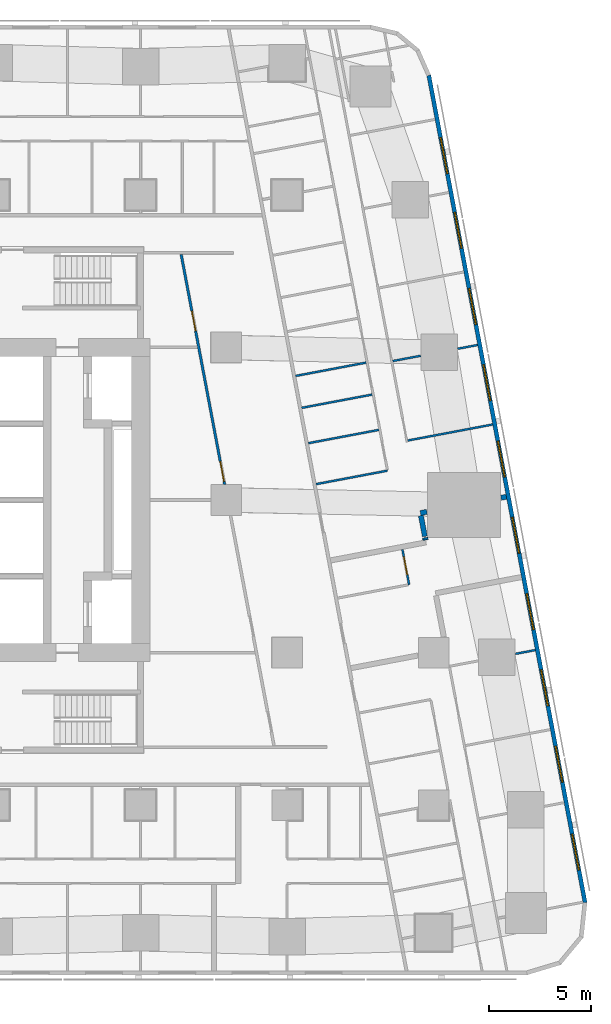
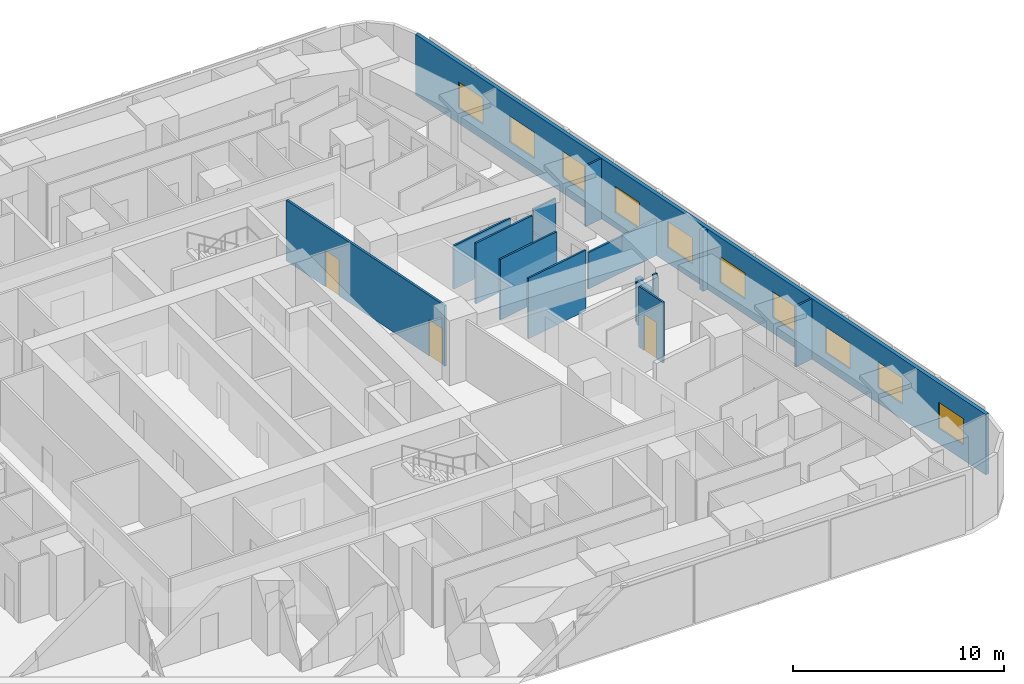
# One storey, part 8 of 15: 15 walls, 10 windows, 3 doors, 13 openings.
"""IFC4 building model written with IfcOpenShell, lengths in metres."""

from ifc_helpers import new_model, si_unit, direction, frame, frame_2d, origin, place, context, subcontext, project, spatial, rectangle, extrude, material, layer, layer_set, type_object, element, fill, save


model = new_model("IFC4")

# Units and contexts
model_context = context("Model", 3, precision=1e-05, world=origin(), true_north=direction((0.0, 1.0)))
body_context = subcontext(model_context, "Body", "Model", "MODEL_VIEW")
ifc_project = project(units=[si_unit("LENGTHUNIT", "METRE"), si_unit("AREAUNIT", "SQUARE_METRE"), si_unit("VOLUMEUNIT", "CUBIC_METRE"), si_unit("PLANEANGLEUNIT", "RADIAN"), si_unit("MASSUNIT", "GRAM", prefix="KILO")], contexts=[model_context])

# Site, building, storey
site_placement = place(None, origin())
site = spatial("IfcSite", under=ifc_project, at=site_placement, CompositionType="ELEMENT")
building_placement = place(site_placement, origin())
building = spatial("IfcBuilding", under=site, at=building_placement, Name="Sheger Commons Tower", CompositionType="ELEMENT")
storey_placement = place(building_placement, frame((0.0, 0.0, 162.050048828125)))
storey = spatial("IfcBuildingStorey", under=building, at=storey_placement, Name="L41", CompositionType="ELEMENT", Elevation=162.050048828125)

# Walls
ifc_material_1 = material(Name="Dense concrete block masonry, plastered both sides (separating wall between flats)", Category="masonry")
ifc_layer_1 = layer(ifc_material_1, 0.25)
ifc_layer_set_1 = layer_set([ifc_layer_1], Name="DEMISING WALL 250")
wall_type_1 = type_object("IfcWallType", Name="DEMISING WALL 250", PredefinedType="SOLIDWALL", material=ifc_layer_set_1)
wall_1_placement = place(storey_placement, frame((46.781982421875, 22.656982421875, 0.0), z_axis=(0.0, 0.0, 1.0), x_axis=(-0.982104607121, -0.188336243648, 0.0)))
element("IfcWall", 1, at=wall_1_placement, inside=storey, type_object=wall_type_1, Name="Demising wall L41", PredefinedType="SOLIDWALL", context=body_context, shape_type="SweptSolid", body=[
    extrude(rectangle(XDim=0.265625, YDim=0.25, at=frame_2d((0.1328125, 0.0))), origin(), (0.0, 0.0, 1.0), 3.5),
])
wall_2_placement = place(storey_placement, frame((42.873046875, 21.91796875, 0.0), z_axis=(0.0, 0.0, 1.0), x_axis=(-0.982431406936, -0.186624035603, 0.0)))
element("IfcWall", 2, at=wall_2_placement, inside=storey, type_object=wall_type_1, Name="Demising wall L41", PredefinedType="SOLIDWALL", context=body_context, shape_type="SweptSolid", body=[
    extrude(rectangle(XDim=0.32177734375, YDim=0.25, at=frame_2d((0.160888671875, 0.0))), origin(), (0.0, 0.0, 1.0), 2.5),
])
wall_3_placement = place(storey_placement, frame((42.580078125, 21.736083984375, 0.0), z_axis=(0.0, 0.0, 1.0), x_axis=(0.185458925981, -0.982652017132, 0.0)))
element("IfcWall", 3, at=wall_3_placement, inside=storey, type_object=wall_type_1, Name="Demising wall L41", PredefinedType="SOLIDWALL", context=body_context, shape_type="SweptSolid", body=[
    extrude(rectangle(XDim=1.045166015625, YDim=0.25, at=frame_2d((0.5224609375, 0.0))), origin(), (0.0, 0.0, 1.0), 2.5),
])
wall_4_placement = place(storey_placement, frame((42.787109375, 20.638916015625, 0.0), z_axis=(0.0, 0.0, 1.0), x_axis=(0.185013851593, -0.982735913009, 0.0)))
element("IfcWall", 4, at=wall_4_placement, inside=storey, type_object=wall_type_1, Name="Demising wall L41", PredefinedType="SOLIDWALL", context=body_context, shape_type="SweptSolid", body=[
    extrude(rectangle(XDim=0.1015625, YDim=0.25, at=frame_2d((0.05078125, 0.0))), origin(), (0.0, 0.0, 1.0), 3.5),
])

# Wall, openings, windows
ifc_material_2 = material(Name="Rendered concrete block masonry, dark grey", Category="masonry")
ifc_layer_2 = layer(ifc_material_2, 0.199951171875)
ifc_layer_set_2 = layer_set([ifc_layer_2], Name="FACADE WALL 200")
wall_type_2 = type_object("IfcWallType", Name="FACADE WALL 200", PredefinedType="SOLIDWALL", material=ifc_layer_set_2)
wall_5_placement = place(storey_placement, frame((50.653076171875, 2.702880859375, 0.0), z_axis=(0.0, 0.0, 1.0), x_axis=(-0.185612026696, 0.982623109613, 0.0)))
wall_5 = element("IfcWall", 5, at=wall_5_placement, inside=storey, type_object=wall_type_2, Name="Facade wall L41", PredefinedType="SOLIDWALL", context=body_context, shape_type="SweptSolid", body=[
    extrude(rectangle(XDim=41.393310546875, YDim=0.199951171875, at=frame_2d((20.69677734375, 0.0))), origin(), (0.0, 0.0, 1.0), 3.5),
])
opening_1_placement = place(wall_5_placement, frame((1.633056640625, 0.0, 0.89990234375)))
opening_1 = element("IfcOpeningElement", 6, at=opening_1_placement, cuts=wall_5, Name="Opening W2", PredefinedType="OPENING", context=body_context, shape_type="SweptSolid", body=[
    extrude(rectangle(XDim=1.800048828125, YDim=1.5, at=frame_2d((0.89990234375, 0.75))), frame((0.0, 0.10986328125, 0.0), z_axis=(0.0, -1.0, 0.0), x_axis=(1.0, 0.0, 0.0)), (0.0, 0.0, 1.0), 0.219970703125),
])
opening_2_placement = place(wall_5_placement, frame((6.031982421875, 0.0, 0.89990234375)))
opening_2 = element("IfcOpeningElement", 7, at=opening_2_placement, cuts=wall_5, Name="Opening W2", PredefinedType="OPENING", context=body_context, shape_type="SweptSolid", body=[
    extrude(rectangle(XDim=1.800048828125, YDim=1.5, at=frame_2d((0.89990234375, 0.75))), frame((0.0, 0.10986328125, 0.0), z_axis=(0.0, -1.0, 0.0), x_axis=(1.0, 0.0, 0.0)), (0.0, 0.0, 1.0), 0.219970703125),
])
opening_3_placement = place(wall_5_placement, frame((9.847900390625, 0.0, 0.89990234375)))
opening_3 = element("IfcOpeningElement", 8, at=opening_3_placement, cuts=wall_5, Name="Opening W2", PredefinedType="OPENING", context=body_context, shape_type="SweptSolid", body=[
    extrude(rectangle(XDim=1.800048828125, YDim=1.5, at=frame_2d((0.89990234375, 0.75))), frame((0.0, 0.10986328125, 0.0), z_axis=(0.0, -1.0, 0.0), x_axis=(1.0, 0.0, 0.0)), (0.0, 0.0, 1.0), 0.219970703125),
])
opening_4_placement = place(wall_5_placement, frame((13.6640625, 0.0, 0.89990234375)))
opening_4 = element("IfcOpeningElement", 9, at=opening_4_placement, cuts=wall_5, Name="Opening W2", PredefinedType="OPENING", context=body_context, shape_type="SweptSolid", body=[
    extrude(rectangle(XDim=1.800048828125, YDim=1.5, at=frame_2d((0.89990234375, 0.75))), frame((0.0, 0.10986328125, 0.0), z_axis=(0.0, -1.0, 0.0), x_axis=(1.0, 0.0, 0.0)), (0.0, 0.0, 1.0), 0.219970703125),
])
opening_5_placement = place(wall_5_placement, frame((17.48095703125, 0.0, 0.89990234375)))
opening_5 = element("IfcOpeningElement", 10, at=opening_5_placement, cuts=wall_5, Name="Opening W2", PredefinedType="OPENING", context=body_context, shape_type="SweptSolid", body=[
    extrude(rectangle(XDim=1.800048828125, YDim=1.5, at=frame_2d((0.89990234375, 0.75))), frame((0.0, 0.10986328125, 0.0), z_axis=(0.0, -1.0, 0.0), x_axis=(1.0, 0.0, 0.0)), (0.0, 0.0, 1.0), 0.219970703125),
])
opening_6_placement = place(wall_5_placement, frame((21.297119140625, 0.0, 0.89990234375)))
opening_6 = element("IfcOpeningElement", 11, at=opening_6_placement, cuts=wall_5, Name="Opening W2", PredefinedType="OPENING", context=body_context, shape_type="SweptSolid", body=[
    extrude(rectangle(XDim=1.800048828125, YDim=1.5, at=frame_2d((0.89990234375, 0.75))), frame((0.0, 0.10986328125, 0.0), z_axis=(0.0, -1.0, 0.0), x_axis=(1.0, 0.0, 0.0)), (0.0, 0.0, 1.0), 0.219970703125),
])
opening_7_placement = place(wall_5_placement, frame((25.113037109375, 0.0, 0.89990234375)))
opening_7 = element("IfcOpeningElement", 12, at=opening_7_placement, cuts=wall_5, Name="Opening W2", PredefinedType="OPENING", context=body_context, shape_type="SweptSolid", body=[
    extrude(rectangle(XDim=1.800048828125, YDim=1.5, at=frame_2d((0.89990234375, 0.75))), frame((0.0, 0.10986328125, 0.0), z_axis=(0.0, -1.0, 0.0), x_axis=(1.0, 0.0, 0.0)), (0.0, 0.0, 1.0), 0.219970703125),
])
opening_8_placement = place(wall_5_placement, frame((28.929931640625, 0.0, 0.89990234375)))
opening_8 = element("IfcOpeningElement", 13, at=opening_8_placement, cuts=wall_5, Name="Opening W2", PredefinedType="OPENING", context=body_context, shape_type="SweptSolid", body=[
    extrude(rectangle(XDim=1.800048828125, YDim=1.5, at=frame_2d((0.89990234375, 0.75))), frame((0.0, 0.10986328125, 0.0), z_axis=(0.0, -1.0, 0.0), x_axis=(1.0, 0.0, 0.0)), (0.0, 0.0, 1.0), 0.219970703125),
])
opening_9_placement = place(wall_5_placement, frame((32.74609375, 0.0, 0.89990234375)))
opening_9 = element("IfcOpeningElement", 14, at=opening_9_placement, cuts=wall_5, Name="Opening W2", PredefinedType="OPENING", context=body_context, shape_type="SweptSolid", body=[
    extrude(rectangle(XDim=1.800048828125, YDim=1.5, at=frame_2d((0.89990234375, 0.75))), frame((0.0, 0.10986328125, 0.0), z_axis=(0.0, -1.0, 0.0), x_axis=(1.0, 0.0, 0.0)), (0.0, 0.0, 1.0), 0.219970703125),
])
opening_10_placement = place(wall_5_placement, frame((36.48095703125, 0.0, 0.89990234375)))
opening_10 = element("IfcOpeningElement", 15, at=opening_10_placement, cuts=wall_5, Name="Opening W2", PredefinedType="OPENING", context=body_context, shape_type="SweptSolid", body=[
    extrude(rectangle(XDim=1.800048828125, YDim=1.5, at=frame_2d((0.89990234375, 0.75))), frame((0.0, 0.10986328125, 0.0), z_axis=(0.0, -1.0, 0.0), x_axis=(1.0, 0.0, 0.0)), (0.0, 0.0, 1.0), 0.219970703125),
])
ifc_material_3 = material(Name="Black aluminium frame, dark tinted double glazing", Category="aluminium")
window_type = type_object("IfcWindowType", Name="WINDOW W2 1800x1500", PartitioningType="SINGLE_PANEL", PredefinedType="WINDOW", material=ifc_material_3)
window_1_placement = place(opening_1_placement, origin())
window_1 = element("IfcWindow", 16, at=window_1_placement, inside=storey, type_object=window_type, Name="Window W2 1800X1500", OverallHeight=1.5, OverallWidth=1.800048828125, PartitioningType="SINGLE_PANEL", PredefinedType="WINDOW", context=body_context, shape_type="SweptSolid", body=[
    extrude(rectangle(XDim=1.800048828125, YDim=1.5, at=frame_2d((0.89990234375, 0.75))), frame((0.0, 0.030029296875, 0.0), z_axis=(0.0, -1.0, 0.0), x_axis=(1.0, 0.0, 0.0)), (0.0, 0.0, 1.0), 0.06005859375),
])
fill(opening_1, window_1)
window_2_placement = place(opening_2_placement, origin())
window_2 = element("IfcWindow", 17, at=window_2_placement, inside=storey, type_object=window_type, Name="Window W2 1800X1500", OverallHeight=1.5, OverallWidth=1.800048828125, PartitioningType="SINGLE_PANEL", PredefinedType="WINDOW", context=body_context, shape_type="SweptSolid", body=[
    extrude(rectangle(XDim=1.800048828125, YDim=1.5, at=frame_2d((0.89990234375, 0.75))), frame((0.0, 0.030029296875, 0.0), z_axis=(0.0, -1.0, 0.0), x_axis=(1.0, 0.0, 0.0)), (0.0, 0.0, 1.0), 0.06005859375),
])
fill(opening_2, window_2)
window_3_placement = place(opening_3_placement, origin())
window_3 = element("IfcWindow", 18, at=window_3_placement, inside=storey, type_object=window_type, Name="Window W2 1800X1500", OverallHeight=1.5, OverallWidth=1.800048828125, PartitioningType="SINGLE_PANEL", PredefinedType="WINDOW", context=body_context, shape_type="SweptSolid", body=[
    extrude(rectangle(XDim=1.800048828125, YDim=1.5, at=frame_2d((0.89990234375, 0.75))), frame((0.0, 0.030029296875, 0.0), z_axis=(0.0, -1.0, 0.0), x_axis=(1.0, 0.0, 0.0)), (0.0, 0.0, 1.0), 0.06005859375),
])
fill(opening_3, window_3)
window_4_placement = place(opening_4_placement, origin())
window_4 = element("IfcWindow", 19, at=window_4_placement, inside=storey, type_object=window_type, Name="Window W2 1800X1500", OverallHeight=1.5, OverallWidth=1.800048828125, PartitioningType="SINGLE_PANEL", PredefinedType="WINDOW", context=body_context, shape_type="SweptSolid", body=[
    extrude(rectangle(XDim=1.800048828125, YDim=1.5, at=frame_2d((0.89990234375, 0.75))), frame((0.0, 0.030029296875, 0.0), z_axis=(0.0, -1.0, 0.0), x_axis=(1.0, 0.0, 0.0)), (0.0, 0.0, 1.0), 0.06005859375),
])
fill(opening_4, window_4)
window_5_placement = place(opening_5_placement, origin())
window_5 = element("IfcWindow", 20, at=window_5_placement, inside=storey, type_object=window_type, Name="Window W2 1800X1500", OverallHeight=1.5, OverallWidth=1.800048828125, PartitioningType="SINGLE_PANEL", PredefinedType="WINDOW", context=body_context, shape_type="SweptSolid", body=[
    extrude(rectangle(XDim=1.800048828125, YDim=1.5, at=frame_2d((0.89990234375, 0.75))), frame((0.0, 0.030029296875, 0.0), z_axis=(0.0, -1.0, 0.0), x_axis=(1.0, 0.0, 0.0)), (0.0, 0.0, 1.0), 0.06005859375),
])
fill(opening_5, window_5)
window_6_placement = place(opening_6_placement, origin())
window_6 = element("IfcWindow", 21, at=window_6_placement, inside=storey, type_object=window_type, Name="Window W2 1800X1500", OverallHeight=1.5, OverallWidth=1.800048828125, PartitioningType="SINGLE_PANEL", PredefinedType="WINDOW", context=body_context, shape_type="SweptSolid", body=[
    extrude(rectangle(XDim=1.800048828125, YDim=1.5, at=frame_2d((0.89990234375, 0.75))), frame((0.0, 0.030029296875, 0.0), z_axis=(0.0, -1.0, 0.0), x_axis=(1.0, 0.0, 0.0)), (0.0, 0.0, 1.0), 0.06005859375),
])
fill(opening_6, window_6)
window_7_placement = place(opening_7_placement, origin())
window_7 = element("IfcWindow", 22, at=window_7_placement, inside=storey, type_object=window_type, Name="Window W2 1800X1500", OverallHeight=1.5, OverallWidth=1.800048828125, PartitioningType="SINGLE_PANEL", PredefinedType="WINDOW", context=body_context, shape_type="SweptSolid", body=[
    extrude(rectangle(XDim=1.800048828125, YDim=1.5, at=frame_2d((0.89990234375, 0.75))), frame((0.0, 0.030029296875, 0.0), z_axis=(0.0, -1.0, 0.0), x_axis=(1.0, 0.0, 0.0)), (0.0, 0.0, 1.0), 0.06005859375),
])
fill(opening_7, window_7)
window_8_placement = place(opening_8_placement, origin())
window_8 = element("IfcWindow", 23, at=window_8_placement, inside=storey, type_object=window_type, Name="Window W2 1800X1500", OverallHeight=1.5, OverallWidth=1.800048828125, PartitioningType="SINGLE_PANEL", PredefinedType="WINDOW", context=body_context, shape_type="SweptSolid", body=[
    extrude(rectangle(XDim=1.800048828125, YDim=1.5, at=frame_2d((0.89990234375, 0.75))), frame((0.0, 0.030029296875, 0.0), z_axis=(0.0, -1.0, 0.0), x_axis=(1.0, 0.0, 0.0)), (0.0, 0.0, 1.0), 0.06005859375),
])
fill(opening_8, window_8)
window_9_placement = place(opening_9_placement, origin())
window_9 = element("IfcWindow", 24, at=window_9_placement, inside=storey, type_object=window_type, Name="Window W2 1800X1500", OverallHeight=1.5, OverallWidth=1.800048828125, PartitioningType="SINGLE_PANEL", PredefinedType="WINDOW", context=body_context, shape_type="SweptSolid", body=[
    extrude(rectangle(XDim=1.800048828125, YDim=1.5, at=frame_2d((0.89990234375, 0.75))), frame((0.0, 0.030029296875, 0.0), z_axis=(0.0, -1.0, 0.0), x_axis=(1.0, 0.0, 0.0)), (0.0, 0.0, 1.0), 0.06005859375),
])
fill(opening_9, window_9)
window_10_placement = place(opening_10_placement, origin())
window_10 = element("IfcWindow", 25, at=window_10_placement, inside=storey, type_object=window_type, Name="Window W2 1800X1500", OverallHeight=1.5, OverallWidth=1.800048828125, PartitioningType="SINGLE_PANEL", PredefinedType="WINDOW", context=body_context, shape_type="SweptSolid", body=[
    extrude(rectangle(XDim=1.800048828125, YDim=1.5, at=frame_2d((0.89990234375, 0.75))), frame((0.0, 0.030029296875, 0.0), z_axis=(0.0, -1.0, 0.0), x_axis=(1.0, 0.0, 0.0)), (0.0, 0.0, 1.0), 0.06005859375),
])
fill(opening_10, window_10)

# Walls
ifc_material_4 = material(Name="Gypsum board on steel studs", Category="steel")
ifc_layer_3 = layer(ifc_material_4, 0.10009765625)
ifc_layer_set_3 = layer_set([ifc_layer_3], Name="PARTITION 100")
wall_type_3 = type_object("IfcWallType", Name="PARTITION 100", PredefinedType="PARTITIONING", material=ifc_layer_set_3)
wall_6_placement = place(storey_placement, frame((45.3720703125, 30.12109375, 0.0), z_axis=(0.0, 0.0, 1.0), x_axis=(-0.982708646087, -0.185158626332, 0.0)))
element("IfcWall", 26, at=wall_6_placement, inside=storey, type_object=wall_type_3, Name="Partition L41", PredefinedType="PARTITIONING", context=body_context, shape_type="SweptSolid", body=[
    extrude(rectangle(XDim=0.99951171875, YDim=0.10009765625, at=frame_2d((0.499755859375, 0.0))), origin(), (0.0, 0.0, 1.0), 3.5),
])
wall_7_placement = place(storey_placement, frame((42.570068359375, 29.592041015625, 0.0), z_axis=(0.0, 0.0, 1.0), x_axis=(-0.982562488259, -0.185932667021, 0.0)))
element("IfcWall", 27, at=wall_7_placement, inside=storey, type_object=wall_type_3, Name="Partition L41", PredefinedType="PARTITIONING", context=body_context, shape_type="SweptSolid", body=[
    extrude(rectangle(XDim=1.3984375, YDim=0.10009765625, at=frame_2d((0.69921875, 0.0))), origin(), (0.0, 0.0, 1.0), 2.5),
])
wall_8_placement = place(storey_placement, frame((46.110107421875, 26.212890625, 0.0), z_axis=(0.0, 0.0, 1.0), x_axis=(-0.982623519589, -0.185609856287, 0.0)))
element("IfcWall", 28, at=wall_8_placement, inside=storey, type_object=wall_type_3, Name="Partition L41", PredefinedType="PARTITIONING", context=body_context, shape_type="SweptSolid", body=[
    extrude(rectangle(XDim=4.249755859375, YDim=0.10009765625, at=frame_2d((2.125, 0.0))), origin(), (0.0, 0.0, 1.0), 2.099853515625),
])
wall_9_placement = place(storey_placement, frame((40.18408203125, 27.68310546875, 0.0), z_axis=(0.0, 0.0, 1.0), x_axis=(-0.982638553676, -0.185530247748, 0.0)))
element("IfcWall", 29, at=wall_9_placement, inside=storey, type_object=wall_type_3, Name="Partition L41", PredefinedType="PARTITIONING", context=body_context, shape_type="SweptSolid", body=[
    extrude(rectangle(XDim=3.525390625, YDim=0.10009765625, at=frame_2d((1.7626953125, 0.0))), origin(), (0.0, 0.0, 1.0), 3.5),
])
wall_10_placement = place(storey_placement, frame((40.94189453125, 23.943115234375, 0.0), z_axis=(0.0, 0.0, 1.0), x_axis=(-0.982598214409, -0.185743772548, 0.0)))
element("IfcWall", 30, at=wall_10_placement, inside=storey, type_object=wall_type_3, Name="Partition L41", PredefinedType="PARTITIONING", context=body_context, shape_type="SweptSolid", body=[
    extrude(rectangle(XDim=3.5751953125, YDim=0.10009765625, at=frame_2d((1.78759765625, 0.0))), origin(), (0.0, 0.0, 1.0), 3.5),
])
wall_11_placement = place(storey_placement, frame((40.511962890625, 25.947998046875, 0.0), z_axis=(0.0, 0.0, 1.0), x_axis=(-0.982636169624, -0.185542874149, 0.0)))
element("IfcWall", 31, at=wall_11_placement, inside=storey, type_object=wall_type_3, Name="Partition L41", PredefinedType="PARTITIONING", context=body_context, shape_type="SweptSolid", body=[
    extrude(rectangle(XDim=3.525146484375, YDim=0.10009765625, at=frame_2d((1.7626953125, 0.0))), origin(), (0.0, 0.0, 1.0), 3.5),
])
wall_12_placement = place(storey_placement, frame((39.886962890625, 29.256103515625, 0.0), z_axis=(0.0, 0.0, 1.0), x_axis=(-0.982585626838, -0.185810349366, 0.0)))
element("IfcWall", 32, at=wall_12_placement, inside=storey, type_object=wall_type_3, Name="Partition L41", PredefinedType="PARTITIONING", context=body_context, shape_type="SweptSolid", body=[
    extrude(rectangle(XDim=3.525146484375, YDim=0.10009765625, at=frame_2d((1.7626953125, 0.0))), origin(), (0.0, 0.0, 1.0), 2.5),
])

# Wall, opening, door
wall_13_placement = place(storey_placement, frame((41.673095703125, 20.070068359375, 0.0), z_axis=(0.0, 0.0, 1.0), x_axis=(0.185783379659, -0.98259072652, 0.0)))
wall_13 = element("IfcWall", 33, at=wall_13_placement, inside=storey, type_object=wall_type_3, Name="Partition L41", PredefinedType="PARTITIONING", context=body_context, shape_type="SweptSolid", body=[
    extrude(rectangle(XDim=1.764892578125, YDim=0.10009765625, at=frame_2d((0.88232421875, 0.0))), origin(), (0.0, 0.0, 1.0), 3.5),
])
opening_11_placement = place(wall_13_placement, frame((0.3740234375, 0.0, 0.0)))
opening_11 = element("IfcOpeningElement", 34, at=opening_11_placement, cuts=wall_13, Name="Opening D2", PredefinedType="OPENING", context=body_context, shape_type="SweptSolid", body=[
    extrude(rectangle(XDim=0.89990234375, YDim=2.10009765625, at=frame_2d((0.449951171875, 1.050048828125))), frame((0.0, 0.06005859375, 0.0), z_axis=(0.0, -1.0, 0.0), x_axis=(1.0, 0.0, 0.0)), (0.0, 0.0, 1.0), 0.1201171875),
])
ifc_material_5 = material(Name="Timber door set", Category="wood")
door_type_1 = type_object("IfcDoorType", Name="INTERNAL DOOR 900x2100", OperationType="NOTDEFINED", PredefinedType="DOOR", material=ifc_material_5)
door_1_placement = place(opening_11_placement, origin())
door_1 = element("IfcDoor", 35, at=door_1_placement, inside=storey, type_object=door_type_1, Name="Shower room door", OperationType="SINGLE_SWING_RIGHT", OverallHeight=2.10009765625, OverallWidth=0.89990234375, PredefinedType="DOOR", context=body_context, shape_type="SweptSolid", body=[
    extrude(rectangle(XDim=0.89990234375, YDim=2.10009765625, at=frame_2d((0.449951171875, 1.050048828125))), frame((0.0, 0.02490234375, 0.0), z_axis=(0.0, -1.0, 0.0), x_axis=(1.0, 0.0, 0.0)), (0.0, 0.0, 1.0), 0.050048828125),
])
fill(opening_11, door_1)

# Wall
wall_14_placement = place(storey_placement, frame((48.2060546875, 15.1201171875, 0.0), z_axis=(0.0, 0.0, 1.0), x_axis=(-0.982700268498, -0.185203083919, 0.0)))
element("IfcWall", 36, at=wall_14_placement, inside=storey, type_object=wall_type_3, Name="Partition L41", PredefinedType="PARTITIONING", context=body_context, shape_type="SweptSolid", body=[
    extrude(rectangle(XDim=0.999267578125, YDim=0.10009765625, at=frame_2d((0.49951171875, 0.0))), origin(), (0.0, 0.0, 1.0), 3.5),
])

# Wall, openings, doors
ifc_material_6 = material(Name="Gypsum board on steel studs, two layers each side, fire rated", Category="steel")
ifc_layer_4 = layer(ifc_material_6, 0.125)
ifc_layer_set_4 = layer_set([ifc_layer_4], Name="SERVICE WALL 125")
wall_type_4 = type_object("IfcWallType", Name="SERVICE WALL 125", PredefinedType="PARTITIONING", material=ifc_layer_set_4)
wall_15_placement = place(storey_placement, frame((32.928955078125, 23.262939453125, 0.0), z_axis=(0.0, 0.0, 1.0), x_axis=(-0.185612234763, 0.982623070311, 0.0)))
wall_15 = element("IfcWall", 37, at=wall_15_placement, inside=storey, type_object=wall_type_4, Name="Service room wall L41", PredefinedType="PARTITIONING", context=body_context, shape_type="SweptSolid", body=[
    extrude(rectangle(XDim=11.512939453125, YDim=0.125, at=frame_2d((5.75634765625, 0.0))), origin(), (0.0, 0.0, 1.0), 3.5),
])
opening_12_placement = place(wall_15_placement, frame((0.14990234375, 0.0, 0.0)))
opening_12 = element("IfcOpeningElement", 38, at=opening_12_placement, cuts=wall_15, Name="Opening D4", PredefinedType="OPENING", context=body_context, shape_type="SweptSolid", body=[
    extrude(rectangle(XDim=1.0, YDim=2.10009765625, at=frame_2d((0.5, 1.050048828125))), frame((0.0, 0.072509765625, 0.0), z_axis=(0.0, -1.0, 0.0), x_axis=(1.0, 0.0, 0.0)), (0.0, 0.0, 1.0), 0.14501953125),
])
opening_13_placement = place(wall_15_placement, frame((7.678955078125, 0.0, 0.0)))
opening_13 = element("IfcOpeningElement", 39, at=opening_13_placement, cuts=wall_15, Name="Opening D4", PredefinedType="OPENING", context=body_context, shape_type="SweptSolid", body=[
    extrude(rectangle(XDim=1.0, YDim=2.10009765625, at=frame_2d((0.5, 1.050048828125))), frame((0.0, 0.072509765625, 0.0), z_axis=(0.0, -1.0, 0.0), x_axis=(1.0, 0.0, 0.0)), (0.0, 0.0, 1.0), 0.14501953125),
])
ifc_material_7 = material(Name="Steel door set, fire rated", Category="steel")
door_type_2 = type_object("IfcDoorType", Name="SERVICE DOOR 1000x2100", OperationType="NOTDEFINED", PredefinedType="DOOR", material=ifc_material_7)
door_2_placement = place(opening_12_placement, origin())
door_2 = element("IfcDoor", 40, at=door_2_placement, inside=storey, type_object=door_type_2, Name="Residents' store door", OperationType="SINGLE_SWING_LEFT", OverallHeight=2.10009765625, OverallWidth=1.0, PredefinedType="DOOR", context=body_context, shape_type="SweptSolid", body=[
    extrude(rectangle(XDim=1.0, YDim=2.10009765625, at=frame_2d((0.5, 1.050048828125))), frame((0.0, 0.02490234375, 0.0), z_axis=(0.0, -1.0, 0.0), x_axis=(1.0, 0.0, 0.0)), (0.0, 0.0, 1.0), 0.050048828125),
])
fill(opening_12, door_2)
door_3_placement = place(opening_13_placement, origin())
door_3 = element("IfcDoor", 41, at=door_3_placement, inside=storey, type_object=door_type_2, Name="Residents' meeting room door", OperationType="SINGLE_SWING_LEFT", OverallHeight=2.10009765625, OverallWidth=1.0, PredefinedType="DOOR", context=body_context, shape_type="SweptSolid", body=[
    extrude(rectangle(XDim=1.0, YDim=2.10009765625, at=frame_2d((0.5, 1.050048828125))), frame((0.0, 0.02490234375, 0.0), z_axis=(0.0, -1.0, 0.0), x_axis=(1.0, 0.0, 0.0)), (0.0, 0.0, 1.0), 0.050048828125),
])
fill(opening_13, door_3)

save(model, "model.ifc")
